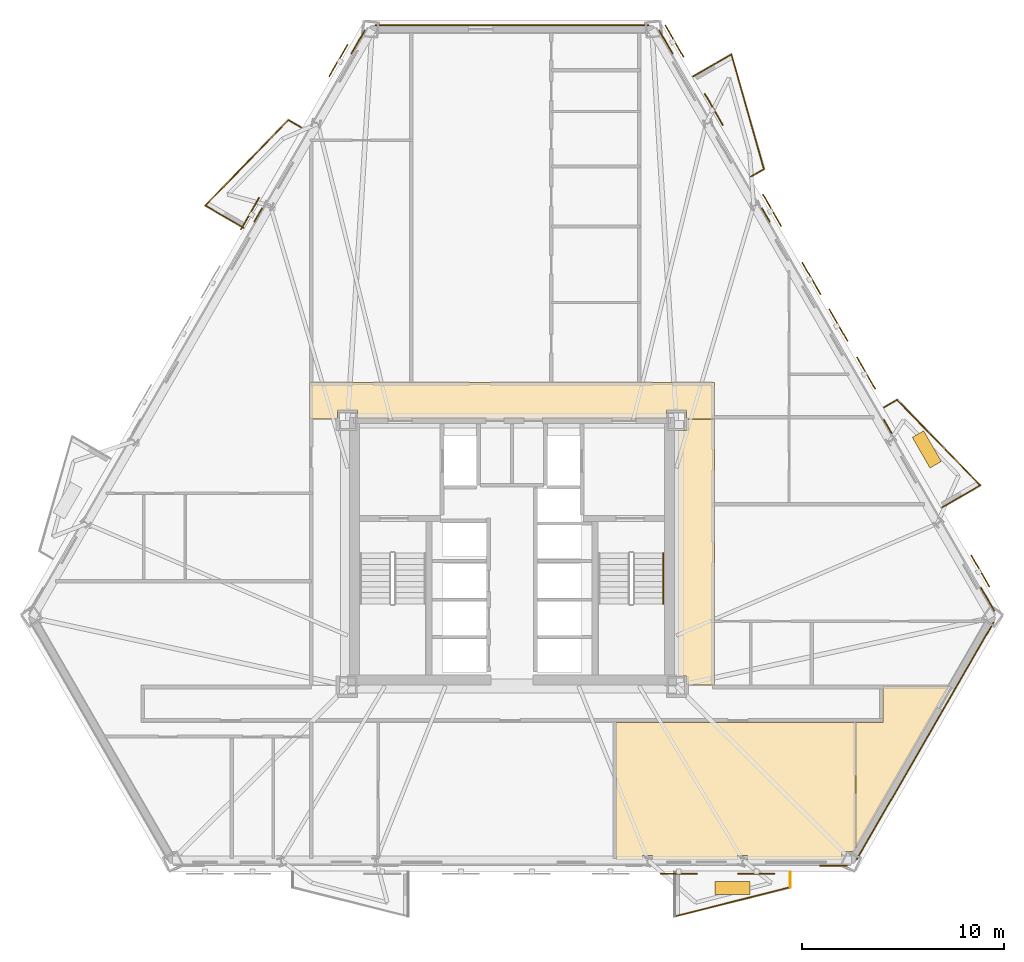
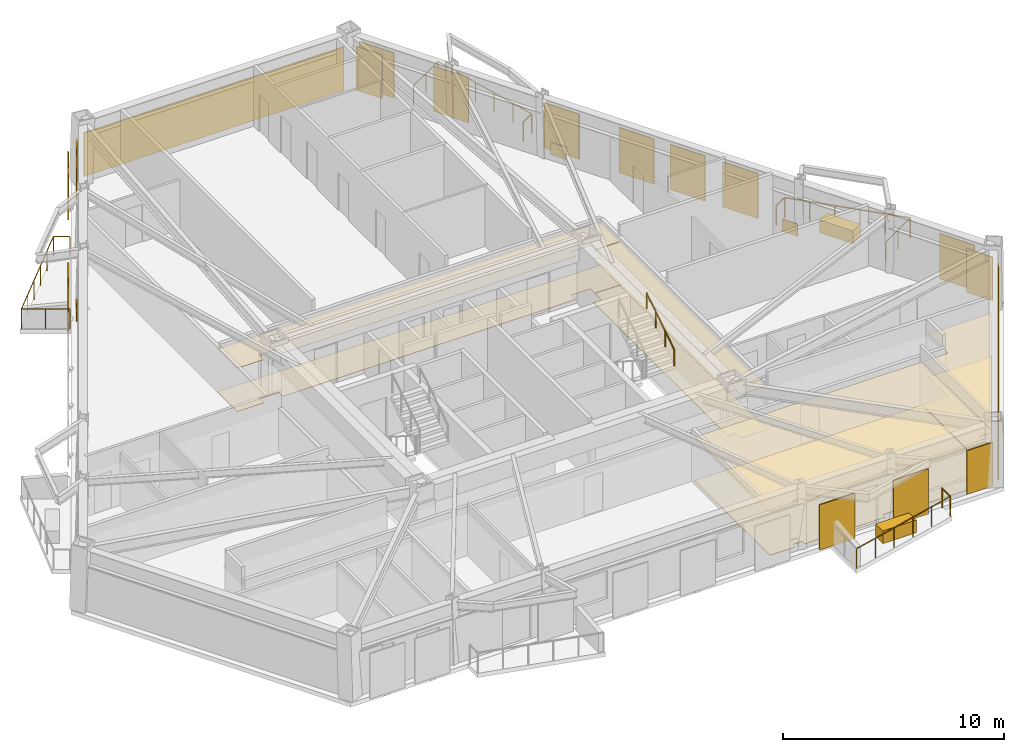
# One storey, part 10 of 10: 19 coverings, 12 railings, 11 shading devices.
"""IFC4 building model written with IfcOpenShell, lengths in metres."""

from ifc_helpers import new_model, si_unit, direction, frame, origin, origin_2d, place, context, subcontext, project, spatial, polyline, rectangle, circle, outline, extrude, material, layer, layer_set, type_object, element, save


model = new_model("IFC4")

# Units and contexts
model_context = context("Model", 3, precision=1e-05, world=origin(), true_north=direction((0.0, 1.0)))
body_context = subcontext(model_context, "Body", "Model", "MODEL_VIEW")
ifc_project = project(units=[si_unit("LENGTHUNIT", "METRE"), si_unit("AREAUNIT", "SQUARE_METRE"), si_unit("VOLUMEUNIT", "CUBIC_METRE"), si_unit("PLANEANGLEUNIT", "RADIAN"), si_unit("MASSUNIT", "GRAM", prefix="KILO")], contexts=[model_context])

# Site, building, storey
site_placement = place(None, origin())
site = spatial("IfcSite", under=ifc_project, at=site_placement, CompositionType="ELEMENT")
building_placement = place(site_placement, origin())
building = spatial("IfcBuilding", under=site, at=building_placement, Name="Oramaril Tower", CompositionType="ELEMENT")
storey_placement = place(building_placement, frame((0.0, 0.0, 59.699951171875)))
storey = spatial("IfcBuildingStorey", under=building, at=storey_placement, Name="L15", CompositionType="ELEMENT", Elevation=59.699951171875)

# Coverings
ifc_material_1 = material(Name="Mineral Fibre Acoustic Ceiling")
ifc_layer_1 = layer(ifc_material_1, 0.02001953125)
ifc_layer_set_1 = layer_set([ifc_layer_1], Name="CVT-CEIL")
covering_type_1 = type_object("IfcCoveringType", Name="CVT-CEIL", PredefinedType="CEILING", material=ifc_layer_set_1)
covering_1_placement = place(storey_placement, frame((0.0, 0.0, 2.400146484375)))
element("IfcCovering", 1, at=covering_1_placement, inside=storey, type_object=covering_type_1, Name="L15 Acoustic Suspended Ceiling 2", PredefinedType="CEILING", context=body_context, shape_type="SweptSolid", body=[
    extrude(outline(polyline([(47.530029296875, 24.239990234375), (46.14501953125, 24.239990234375), (46.14501953125, 24.64501953125), (45.155029296875, 24.64501953125), (45.155029296875, 24.25), (29.844970703125, 24.25), (29.844970703125, 24.64501953125), (28.85498046875, 24.64501953125), (28.85498046875, 24.239990234375), (27.469970703125, 24.239990234375), (27.469970703125, 26.050048828125), (47.530029296875, 26.050048828125), (47.530029296875, 24.239990234375)])), origin(), (0.0, 0.0, 1.0), 0.02001953125),
])
covering_2_placement = place(storey_placement, frame((0.0, 0.0, 2.400146484375)))
element("IfcCovering", 2, at=covering_2_placement, inside=storey, type_object=covering_type_1, Name="L15 Acoustic Suspended Ceiling 4", PredefinedType="CEILING", context=body_context, shape_type="SweptSolid", body=[
    extrude(outline(polyline([(47.530029296875, 11.050048828125), (46.14501953125, 11.050048828125), (46.14501953125, 11.4951171875), (45.719970703125, 11.4951171875), (45.719970703125, 23.655029296875), (46.14501953125, 23.655029296875), (46.14501953125, 24.219970703125), (47.530029296875, 24.219970703125), (47.530029296875, 11.050048828125)])), origin(), (0.0, 0.0, 1.0), 0.02001953125),
])
covering_3_placement = place(storey_placement, frame((0.0, 0.0, 2.400146484375)))
element("IfcCovering", 3, at=covering_3_placement, inside=storey, type_object=covering_type_1, Name="L15 Acoustic Suspended Ceiling 7", PredefinedType="CEILING", context=body_context, shape_type="SweptSolid", body=[
    extrude(outline(polyline([(54.466064453125, 2.790283203125), (53.872314453125, 2.790283203125), (53.872314453125, 2.381591796875), (49.186279296875, 2.381591796875), (49.186279296875, 2.607421875), (48.681884765625, 2.607421875), (48.681884765625, 2.381591796875), (44.471923828125, 2.381591796875), (44.471923828125, 2.607421875), (43.97998046875, 2.607421875), (43.97998046875, 2.381591796875), (42.662109375, 2.381591796875), (42.662109375, 9.199951171875), (54.54248046875, 9.199951171875), (54.54248046875, 2.9228515625), (54.466064453125, 2.790283203125)])), origin(), (0.0, 0.0, 1.0), 0.02001953125),
])
covering_4_placement = place(storey_placement, frame((0.0, 0.0, 2.400146484375)))
element("IfcCovering", 4, at=covering_4_placement, inside=storey, type_object=covering_type_1, Name="L15 Acoustic Suspended Ceiling 8", PredefinedType="CEILING", context=body_context, shape_type="SweptSolid", body=[
    extrude(outline(polyline([(59.201416015625, 10.991943359375), (54.5625, 2.95751953125), (54.5625, 9.199951171875), (55.8798828125, 9.199951171875), (55.882080078125, 9.2001953125), (55.8837890625, 9.200439453125), (55.8857421875, 9.200927734375), (55.8876953125, 9.201416015625), (55.889404296875, 9.202392578125), (55.89111328125, 9.203369140625), (55.892578125, 9.20458984375), (55.89404296875, 9.205810546875), (55.8955078125, 9.207275390625), (55.896484375, 9.208984375), (55.897705078125, 9.210693359375), (55.8984375, 9.21240234375), (55.899169921875, 9.214111328125), (55.899658203125, 9.216064453125), (55.89990234375, 9.218017578125), (55.89990234375, 9.219970703125), (55.89990234375, 10.991943359375), (59.201416015625, 10.991943359375)])), origin(), (0.0, 0.0, 1.0), 0.02001953125),
])
ifc_material_2 = material(Name="Warm Cream Limestone", Category="masonry")
ifc_layer_2 = layer(ifc_material_2, 0.050048828125)
ifc_layer_set_2 = layer_set([ifc_layer_2], Name="CVT-CLD")
covering_type_2 = type_object("IfcCoveringType", Name="CVT-CLD", PredefinedType="CLADDING", material=ifc_layer_set_2)
covering_5_placement = place(storey_placement, frame((53.4423828125, 2.080810546875, 0.0400390625), z_axis=(0.0, 0.0, 1.0), x_axis=(1.0, 0.0, 0.0)))
element("IfcCovering", 5, at=covering_5_placement, inside=storey, type_object=covering_type_2, Name="L15 Warm Cream Limestone Cladding", PredefinedType="CLADDING", context=body_context, shape_type="SweptSolid", body=[
    extrude(rectangle(XDim=1.35009765625, YDim=0.050048828125, at=origin_2d()), origin(), (0.0, 0.0, 1.0), 2.4140625),
])
covering_6_placement = place(storey_placement, frame((57.98046875, 8.275390625, 0.0400390625), z_axis=(0.0, 0.0, 1.0), x_axis=(0.500001511499, 0.866024531118, 0.0)))
element("IfcCovering", 6, at=covering_6_placement, inside=storey, type_object=covering_type_2, Name="L15 Warm Cream Limestone Cladding", PredefinedType="CLADDING", context=body_context, shape_type="SweptSolid", body=[
    extrude(rectangle(XDim=13.58349609375, YDim=0.050048828125, at=origin_2d()), origin(), (0.0, 0.0, 1.0), 2.4140625),
])
for number, where, z_axis, x_axis, name in (
    (7, (61.076416015625, 15.302978515625, 0.0400390625), (0.0, 0.0, 1.0), (-0.4999984885, 0.866026276448, 0.0), "L15 Warm Cream Limestone Cladding"),
    (8, (45.1337890625, 42.916259765625, 0.0400390625), (0.0, 0.0, 1.0), (-0.4999984885, 0.866026276448, 0.0), "L15 Warm Cream Limestone Cladding"),
):
    element("IfcCovering", number, at=place(storey_placement, frame(where, z_axis=z_axis, x_axis=x_axis)), inside=storey, type_object=covering_type_2, Name=name, PredefinedType="CLADDING", context=body_context, shape_type="SweptSolid", body=[
        extrude(rectangle(XDim=1.35009765625, YDim=0.050048828125, at=origin_2d()), origin(), (0.0, 0.0, 1.0), 2.4140625),
    ])
for number, where, z_axis, x_axis, name in (
    (9, (56.127685546875, 23.874267578125, 0.0400390625), (0.0, 0.0, 1.0), (-0.4999984885, 0.866026276448, 0.0), "L15 Warm Cream Limestone Spandrel Cladding"),
    (10, (50.08251953125, 34.344970703125, 0.0400390625), (0.0, 0.0, 1.0), (-0.4999984885, 0.866026276448, 0.0), "L15 Warm Cream Limestone Spandrel Cladding"),
):
    element("IfcCovering", number, at=place(storey_placement, frame(where, z_axis=z_axis, x_axis=x_axis)), inside=storey, type_object=covering_type_2, Name=name, PredefinedType="CLADDING", context=body_context, shape_type="SweptSolid", body=[
        extrude(rectangle(XDim=0.800048828125, YDim=0.050048828125, at=origin_2d()), origin(), (0.0, 0.0, 1.0), 0.679931640625),
    ])
covering_7_placement = place(storey_placement, frame((37.5, 43.748779296875, 0.0400390625), z_axis=(0.0, 0.0, 1.0), x_axis=(-1.0, 0.0, 0.0)))
element("IfcCovering", 11, at=covering_7_placement, inside=storey, type_object=covering_type_2, Name="L15 Warm Cream Limestone Cladding", PredefinedType="CLADDING", context=body_context, shape_type="SweptSolid", body=[
    extrude(rectangle(XDim=13.58349609375, YDim=0.050048828125, at=origin_2d()), origin(), (0.0, 0.0, 1.0), 2.4140625),
])
covering_8_placement = place(storey_placement, frame((29.8662109375, 42.916259765625, 0.0400390625), z_axis=(0.0, 0.0, 1.0), x_axis=(-0.4999984885, -0.866026276448, 0.0)))
element("IfcCovering", 12, at=covering_8_placement, inside=storey, type_object=covering_type_2, Name="L15 Warm Cream Limestone Cladding", PredefinedType="CLADDING", context=body_context, shape_type="SweptSolid", body=[
    extrude(rectangle(XDim=1.35009765625, YDim=0.050048828125, at=origin_2d()), origin(), (0.0, 0.0, 1.0), 2.4140625),
])
covering_9_placement = place(storey_placement, frame((24.91748046875, 34.344970703125, 0.0400390625), z_axis=(0.0, 0.0, 1.0), x_axis=(-0.4999984885, -0.866026276448, 0.0)))
element("IfcCovering", 13, at=covering_9_placement, inside=storey, type_object=covering_type_2, Name="L15 Warm Cream Limestone Spandrel Cladding", PredefinedType="CLADDING", context=body_context, shape_type="SweptSolid", body=[
    extrude(rectangle(XDim=0.800048828125, YDim=0.050048828125, at=origin_2d()), origin(), (0.0, 0.0, 1.0), 0.679931640625),
])
for number, where, z_axis, x_axis, name in (
    (14, (48.43310546875, 0.977294921875, 0.0), (0.0, 0.0, 1.0), (1.0, 0.0, 0.0), "L15 Structural Tree Planter Box L15-BAL-S2"),
    (15, (58.06494140625, 22.726318359375, 0.0), (0.0, 0.0, 1.0), (-0.4999984885, 0.866026276448, 0.0), "L15 Structural Tree Planter Box L15-BAL-NE1"),
):
    element("IfcCovering", number, at=place(storey_placement, frame(where, z_axis=z_axis, x_axis=x_axis)), inside=storey, type_object=covering_type_2, Name=name, PredefinedType="CLADDING", context=body_context, shape_type="SweptSolid", body=[
        extrude(rectangle(XDim=1.75, YDim=0.64990234375, at=origin_2d()), origin(), (0.0, 0.0, 1.0), 0.699951171875),
    ])
ifc_material_3 = material(Name="Honed Quartzite Stone Flooring", Category="masonry")
ifc_layer_3 = layer(ifc_material_3, 0.02490234375)
ifc_layer_set_3 = layer_set([ifc_layer_3], Name="CVT-FLR")
covering_type_3 = type_object("IfcCoveringType", Name="CVT-FLR", PredefinedType="FLOORING", material=ifc_layer_set_3)
covering_10_placement = place(storey_placement, origin())
element("IfcCovering", 16, at=covering_10_placement, inside=storey, type_object=covering_type_3, Name="L15 Honed Stone Floor Finish 2", PredefinedType="FLOORING", context=body_context, shape_type="SweptSolid", body=[
    extrude(outline(polyline([(47.530029296875, 24.239990234375), (46.14501953125, 24.239990234375), (46.14501953125, 24.64501953125), (45.155029296875, 24.64501953125), (45.155029296875, 24.25), (29.844970703125, 24.25), (29.844970703125, 24.64501953125), (28.85498046875, 24.64501953125), (28.85498046875, 24.239990234375), (27.469970703125, 24.239990234375), (27.469970703125, 26.050048828125), (47.530029296875, 26.050048828125), (47.530029296875, 24.239990234375)])), origin(), (0.0, 0.0, 1.0), 0.025146484375),
])
covering_11_placement = place(storey_placement, origin())
element("IfcCovering", 17, at=covering_11_placement, inside=storey, type_object=covering_type_3, Name="L15 Honed Stone Floor Finish 4", PredefinedType="FLOORING", context=body_context, shape_type="SweptSolid", body=[
    extrude(outline(polyline([(47.530029296875, 11.050048828125), (46.14501953125, 11.050048828125), (46.14501953125, 11.4951171875), (45.719970703125, 11.4951171875), (45.719970703125, 23.655029296875), (46.14501953125, 23.655029296875), (46.14501953125, 24.219970703125), (47.530029296875, 24.219970703125), (47.530029296875, 11.050048828125)])), origin(), (0.0, 0.0, 1.0), 0.025146484375),
])
covering_12_placement = place(storey_placement, origin())
element("IfcCovering", 18, at=covering_12_placement, inside=storey, type_object=covering_type_3, Name="L15 Honed Stone Floor Finish 7", PredefinedType="FLOORING", context=body_context, shape_type="SweptSolid", body=[
    extrude(outline(polyline([(54.466064453125, 2.790283203125), (53.872314453125, 2.790283203125), (53.872314453125, 2.381591796875), (49.186279296875, 2.381591796875), (49.186279296875, 2.607421875), (48.681884765625, 2.607421875), (48.681884765625, 2.381591796875), (44.471923828125, 2.381591796875), (44.471923828125, 2.607421875), (43.97998046875, 2.607421875), (43.97998046875, 2.381591796875), (42.662109375, 2.381591796875), (42.662109375, 9.199951171875), (54.54248046875, 9.199951171875), (54.54248046875, 2.9228515625), (54.466064453125, 2.790283203125)])), origin(), (0.0, 0.0, 1.0), 0.025146484375),
])
covering_13_placement = place(storey_placement, origin())
element("IfcCovering", 19, at=covering_13_placement, inside=storey, type_object=covering_type_3, Name="L15 Honed Stone Floor Finish 8", PredefinedType="FLOORING", context=body_context, shape_type="SweptSolid", body=[
    extrude(outline(polyline([(59.201416015625, 10.991943359375), (54.5625, 2.95751953125), (54.5625, 9.199951171875), (55.8798828125, 9.199951171875), (55.882080078125, 9.2001953125), (55.8837890625, 9.200439453125), (55.8857421875, 9.200927734375), (55.8876953125, 9.201416015625), (55.889404296875, 9.202392578125), (55.89111328125, 9.203369140625), (55.892578125, 9.20458984375), (55.89404296875, 9.205810546875), (55.8955078125, 9.207275390625), (55.896484375, 9.208984375), (55.897705078125, 9.210693359375), (55.8984375, 9.21240234375), (55.899169921875, 9.214111328125), (55.899658203125, 9.216064453125), (55.89990234375, 9.218017578125), (55.89990234375, 9.219970703125), (55.89990234375, 10.991943359375), (59.201416015625, 10.991943359375)])), origin(), (0.0, 0.0, 1.0), 0.025146484375),
])

# Railings
ifc_material_4 = material(Name="Stainless Steel 316L", Category="steel")
railing_type_1 = type_object("IfcRailingType", Name="RLT-GRD", PredefinedType="GUARDRAIL", material=ifc_material_4)
railing_1_placement = place(storey_placement, frame((51.298095703125, 1.765625, 0.0)))
element("IfcRailing", 20, at=railing_1_placement, inside=storey, type_object=railing_type_1, Name="L15 Balcony Guardrail L15-BAL-S2.1", PredefinedType="GUARDRAIL", context=body_context, shape_type="SweptSolid", body=[
    extrude(circle(Radius=0.02392578125, at=origin_2d()), frame((0.0, 0.0, 1.076171875), z_axis=(0.0, -1.0, 0.0), x_axis=(1.0, 0.0, 0.0)), (0.0, 0.0, 1.0), 0.741943359375),
    extrude(circle(Radius=0.02099609375, at=origin_2d()), origin(), (0.0, 0.0, 1.0), 1.052001953125),
    extrude(circle(Radius=0.02099609375, at=origin_2d()), frame((0.0, -0.741943359375, 0.0)), (0.0, 0.0, 1.0), 1.052001953125),
])
railing_2_placement = place(storey_placement, frame((51.298095703125, 1.023681640625, 0.0)))
element("IfcRailing", 21, at=railing_2_placement, inside=storey, type_object=railing_type_1, Name="L15 Balcony Guardrail L15-BAL-S2.2", PredefinedType="GUARDRAIL", context=body_context, shape_type="SweptSolid", body=[
    extrude(circle(Radius=0.02392578125, at=origin_2d()), frame((0.0, 0.0, 1.076171875), z_axis=(-0.969443611257, -0.245314256807, 0.0), x_axis=(0.245314256807, -0.969443611257, 0.0)), (0.0, 0.0, 1.0), 5.91064453125),
    extrude(circle(Radius=0.02099609375, at=origin_2d()), origin(), (0.0, 0.0, 1.0), 1.052001953125),
    extrude(circle(Radius=0.02099609375, at=origin_2d()), frame((-1.14599609375, -0.2900390625, 0.0)), (0.0, 0.0, 1.0), 1.052001953125),
    extrude(circle(Radius=0.02099609375, at=origin_2d()), frame((-2.2919921875, -0.580078125, 0.0)), (0.0, 0.0, 1.0), 1.052001953125),
    extrude(circle(Radius=0.02099609375, at=origin_2d()), frame((-3.43798828125, -0.869873046875, 0.0)), (0.0, 0.0, 1.0), 1.052001953125),
    extrude(circle(Radius=0.02099609375, at=origin_2d()), frame((-4.583984375, -1.159912109375, 0.0)), (0.0, 0.0, 1.0), 1.052001953125),
    extrude(circle(Radius=0.02099609375, at=origin_2d()), frame((-5.72998046875, -1.449951171875, 0.0)), (0.0, 0.0, 1.0), 1.052001953125),
])
railing_3_placement = place(storey_placement, frame((55.949462890625, 24.81298828125, 0.0)))
element("IfcRailing", 22, at=railing_3_placement, inside=storey, type_object=railing_type_1, Name="L15 Balcony Guardrail L15-BAL-NE1.1", PredefinedType="GUARDRAIL", context=body_context, shape_type="SweptSolid", body=[
    extrude(circle(Radius=0.02392578125, at=origin_2d()), frame((0.0, 0.0, 1.076171875), z_axis=(0.865966403178, 0.500102178127, 0.0), x_axis=(-0.500102178127, 0.865966403178, 0.0)), (0.0, 0.0, 1.0), 0.741943359375),
    extrude(circle(Radius=0.02099609375, at=origin_2d()), origin(), (0.0, 0.0, 1.0), 1.052001953125),
    extrude(circle(Radius=0.02099609375, at=origin_2d()), frame((0.642578125, 0.37109375, 0.0)), (0.0, 0.0, 1.0), 1.052001953125),
])
railing_4_placement = place(storey_placement, frame((56.592041015625, 25.18408203125, 0.0)))
element("IfcRailing", 23, at=railing_4_placement, inside=storey, type_object=railing_type_1, Name="L15 Balcony Guardrail L15-BAL-NE1.2", PredefinedType="GUARDRAIL", context=body_context, shape_type="SweptSolid", body=[
    extrude(circle(Radius=0.02392578125, at=origin_2d()), frame((0.0, 0.0, 1.076171875), z_axis=(0.697186915353, -0.716889395277, 0.0), x_axis=(0.716889395277, 0.697186915353, 0.0)), (0.0, 0.0, 1.0), 5.91064453125),
    extrude(circle(Radius=0.02099609375, at=origin_2d()), origin(), (0.0, 0.0, 1.0), 1.052001953125),
    extrude(circle(Radius=0.02099609375, at=origin_2d()), frame((0.82421875, -0.847412109375, 0.0)), (0.0, 0.0, 1.0), 1.052001953125),
    extrude(circle(Radius=0.02099609375, at=origin_2d()), frame((1.6484375, -1.69482421875, 0.0)), (0.0, 0.0, 1.0), 1.052001953125),
    extrude(circle(Radius=0.02099609375, at=origin_2d()), frame((2.472412109375, -2.54248046875, 0.0)), (0.0, 0.0, 1.0), 1.052001953125),
    extrude(circle(Radius=0.02099609375, at=origin_2d()), frame((3.296630859375, -3.389892578125, 0.0)), (0.0, 0.0, 1.0), 1.052001953125),
    extrude(circle(Radius=0.02099609375, at=origin_2d()), frame((4.120849609375, -4.2373046875, 0.0)), (0.0, 0.0, 1.0), 1.052001953125),
])
railing_5_placement = place(storey_placement, frame((60.712890625, 20.94677734375, 0.0)))
element("IfcRailing", 24, at=railing_5_placement, inside=storey, type_object=railing_type_1, Name="L15 Balcony Guardrail L15-BAL-NE1.3", PredefinedType="GUARDRAIL", context=body_context, shape_type="SweptSolid", body=[
    extrude(circle(Radius=0.02392578125, at=origin_2d()), frame((0.0, 0.0, 1.076171875), z_axis=(-0.866048343933, -0.499960264392, 0.0), x_axis=(0.499960264392, -0.866048343933, 0.0)), (0.0, 0.0, 1.0), 2.192138671875),
    extrude(circle(Radius=0.02099609375, at=origin_2d()), origin(), (0.0, 0.0, 1.0), 1.052001953125),
    extrude(circle(Radius=0.02099609375, at=origin_2d()), frame((-0.94921875, -0.5478515625, 0.0)), (0.0, 0.0, 1.0), 1.052001953125),
    extrude(circle(Radius=0.02099609375, at=origin_2d()), frame((-1.8984375, -1.095947265625, 0.0)), (0.0, 0.0, 1.0), 1.052001953125),
])
railing_6_placement = place(storey_placement, frame((46.47900390625, 41.216552734375, 0.0)))
element("IfcRailing", 25, at=railing_6_placement, inside=storey, type_object=railing_type_1, Name="L15 Balcony Guardrail L15-BAL-NE2.1", PredefinedType="GUARDRAIL", context=body_context, shape_type="SweptSolid", body=[
    extrude(circle(Radius=0.02392578125, at=origin_2d()), frame((0.0, 0.0, 1.076171875), z_axis=(0.866020500697, 0.5000084923, 0.0), x_axis=(-0.5000084923, 0.866020500697, 0.0)), (0.0, 0.0, 1.0), 2.19189453125),
    extrude(circle(Radius=0.02099609375, at=origin_2d()), origin(), (0.0, 0.0, 1.0), 1.052001953125),
    extrude(circle(Radius=0.02099609375, at=origin_2d()), frame((0.94921875, 0.5478515625, 0.0)), (0.0, 0.0, 1.0), 1.052001953125),
    extrude(circle(Radius=0.02099609375, at=origin_2d()), frame((1.898193359375, 1.095947265625, 0.0)), (0.0, 0.0, 1.0), 1.052001953125),
])
railing_7_placement = place(storey_placement, frame((48.377197265625, 42.3125, 0.0)))
element("IfcRailing", 26, at=railing_7_placement, inside=storey, type_object=railing_type_1, Name="L15 Balcony Guardrail L15-BAL-NE2.2", PredefinedType="GUARDRAIL", context=body_context, shape_type="SweptSolid", body=[
    extrude(circle(Radius=0.02392578125, at=origin_2d()), frame((0.0, 0.0, 1.076171875), z_axis=(0.272287109361, -0.962216051662, 0.0), x_axis=(0.962216051662, 0.272287109361, 0.0)), (0.0, 0.0, 1.0), 5.91064453125),
    extrude(circle(Radius=0.02099609375, at=origin_2d()), origin(), (0.0, 0.0, 1.0), 1.052001953125),
    extrude(circle(Radius=0.02099609375, at=origin_2d()), frame((0.32177734375, -1.137451171875, 0.0)), (0.0, 0.0, 1.0), 1.052001953125),
    extrude(circle(Radius=0.02099609375, at=origin_2d()), frame((0.643798828125, -2.27490234375, 0.0)), (0.0, 0.0, 1.0), 1.052001953125),
    extrude(circle(Radius=0.02099609375, at=origin_2d()), frame((0.965576171875, -3.412353515625, 0.0)), (0.0, 0.0, 1.0), 1.052001953125),
    extrude(circle(Radius=0.02099609375, at=origin_2d()), frame((1.28759765625, -4.5498046875, 0.0)), (0.0, 0.0, 1.0), 1.052001953125),
    extrude(circle(Radius=0.02099609375, at=origin_2d()), frame((1.609375, -5.687255859375, 0.0)), (0.0, 0.0, 1.0), 1.052001953125),
])
railing_8_placement = place(storey_placement, frame((49.986572265625, 36.625244140625, 0.0)))
element("IfcRailing", 27, at=railing_8_placement, inside=storey, type_object=railing_type_1, Name="L15 Balcony Guardrail L15-BAL-NE2.3", PredefinedType="GUARDRAIL", context=body_context, shape_type="SweptSolid", body=[
    extrude(circle(Radius=0.02392578125, at=origin_2d()), frame((0.0, 0.0, 1.076171875), z_axis=(-0.866108878364, -0.499855389907, 0.0), x_axis=(0.499855389907, -0.866108878364, 0.0)), (0.0, 0.0, 1.0), 0.741943359375),
    extrude(circle(Radius=0.02099609375, at=origin_2d()), origin(), (0.0, 0.0, 1.0), 1.052001953125),
    extrude(circle(Radius=0.02099609375, at=origin_2d()), frame((-0.642578125, -0.370849609375, 0.0)), (0.0, 0.0, 1.0), 1.052001953125),
])
railing_9_placement = place(storey_placement, frame((24.193603515625, 33.72119140625, 0.0)))
element("IfcRailing", 28, at=railing_9_placement, inside=storey, type_object=railing_type_1, Name="L15 Balcony Guardrail L15-BAL-NW1.1", PredefinedType="GUARDRAIL", context=body_context, shape_type="SweptSolid", body=[
    extrude(circle(Radius=0.02392578125, at=origin_2d()), frame((0.0, 0.0, 1.076171875), z_axis=(-0.866048343933, 0.499960264392, 0.0), x_axis=(-0.499960264392, -0.866048343933, 0.0)), (0.0, 0.0, 1.0), 2.192138671875),
    extrude(circle(Radius=0.02099609375, at=origin_2d()), origin(), (0.0, 0.0, 1.0), 1.052001953125),
    extrude(circle(Radius=0.02099609375, at=origin_2d()), frame((-0.94921875, 0.5478515625, 0.0)), (0.0, 0.0, 1.0), 1.052001953125),
    extrude(circle(Radius=0.02099609375, at=origin_2d()), frame((-1.8984375, 1.095947265625, 0.0)), (0.0, 0.0, 1.0), 1.052001953125),
])
railing_10_placement = place(storey_placement, frame((22.295166015625, 34.817138671875, 0.0)))
element("IfcRailing", 29, at=railing_10_placement, inside=storey, type_object=railing_type_1, Name="L15 Balcony Guardrail L15-BAL-NW1.2", PredefinedType="GUARDRAIL", context=body_context, shape_type="SweptSolid", body=[
    extrude(circle(Radius=0.02392578125, at=origin_2d()), frame((0.0, 0.0, 1.076171875), z_axis=(0.697186915353, 0.716889395277, 0.0), x_axis=(-0.716889395277, 0.697186915353, 0.0)), (0.0, 0.0, 1.0), 5.91064453125),
    extrude(circle(Radius=0.02099609375, at=origin_2d()), origin(), (0.0, 0.0, 1.0), 1.052001953125),
    extrude(circle(Radius=0.02099609375, at=origin_2d()), frame((0.82421875, 0.847412109375, 0.0)), (0.0, 0.0, 1.0), 1.052001953125),
    extrude(circle(Radius=0.02099609375, at=origin_2d()), frame((1.6484375, 1.69482421875, 0.0)), (0.0, 0.0, 1.0), 1.052001953125),
    extrude(circle(Radius=0.02099609375, at=origin_2d()), frame((2.472412109375, 2.54248046875, 0.0)), (0.0, 0.0, 1.0), 1.052001953125),
    extrude(circle(Radius=0.02099609375, at=origin_2d()), frame((3.296630859375, 3.389892578125, 0.0)), (0.0, 0.0, 1.0), 1.052001953125),
    extrude(circle(Radius=0.02099609375, at=origin_2d()), frame((4.120849609375, 4.2373046875, 0.0)), (0.0, 0.0, 1.0), 1.052001953125),
])
railing_11_placement = place(storey_placement, frame((26.416015625, 39.054443359375, 0.0)))
element("IfcRailing", 30, at=railing_11_placement, inside=storey, type_object=railing_type_1, Name="L15 Balcony Guardrail L15-BAL-NW1.3", PredefinedType="GUARDRAIL", context=body_context, shape_type="SweptSolid", body=[
    extrude(circle(Radius=0.02392578125, at=origin_2d()), frame((0.0, 0.0, 1.076171875), z_axis=(0.865966403178, -0.500102178127, 0.0), x_axis=(0.500102178127, 0.865966403178, 0.0)), (0.0, 0.0, 1.0), 0.741943359375),
    extrude(circle(Radius=0.02099609375, at=origin_2d()), origin(), (0.0, 0.0, 1.0), 1.052001953125),
    extrude(circle(Radius=0.02099609375, at=origin_2d()), frame((0.642578125, -0.37109375, 0.0)), (0.0, 0.0, 1.0), 1.052001953125),
])
ifc_material_5 = material(Name="Stainless Steel 316L", Category="steel")
railing_type_2 = type_object("IfcRailingType", Name="RLT-HND", PredefinedType="HANDRAIL", material=ifc_material_5)
railing_12_placement = place(storey_placement, frame((45.0, 15.070068359375, 1.97998046875)))
element("IfcRailing", 31, at=railing_12_placement, inside=storey, type_object=railing_type_2, Name="L15 ST-2 stair handrail 2", PredefinedType="HANDRAIL", context=body_context, shape_type="SweptSolid", body=[
    extrude(circle(Radius=0.02392578125, at=origin_2d()), frame((0.0, 0.0, 0.8759765625), z_axis=(0.0, 0.841162588446, 0.540782303519), x_axis=(-1.0, 0.0, 0.0)), (0.0, 0.0, 1.0), 2.995849609375),
    extrude(circle(Radius=0.02099609375, at=origin_2d()), origin(), (0.0, 0.0, 1.0), 0.851806640625),
    extrude(circle(Radius=0.02099609375, at=origin_2d()), frame((0.0, 0.840087890625, 0.5400390625)), (0.0, 0.0, 1.0), 0.851806640625),
    extrude(circle(Radius=0.02099609375, at=origin_2d()), frame((0.0, 1.679931640625, 1.080078125)), (0.0, 0.0, 1.0), 0.851806640625),
    extrude(circle(Radius=0.02099609375, at=origin_2d()), frame((0.0, 2.52001953125, 1.6201171875)), (0.0, 0.0, 1.0), 0.851806640625),
])

# Shading devices
for number, where, z_axis, x_axis, name in (
    (32, (45.765625, 1.693603515625, -0.02001953125), (0.0, 0.0, 1.0), (1.0, 0.0, 0.0), "L15 Perforated Ceramic Solar Screen"),
    (33, (49.6181640625, 1.693603515625, -0.02001953125), (0.0, 0.0, 1.0), (1.0, 0.0, 0.0), "L15 Perforated Ceramic Solar Screen"),
    (34, (60.71435546875, 16.7041015625, -0.02001953125), (0.0, 0.0, 1.0), (-0.4999984885, 0.866026276448, 0.0), "L15 Perforated Ceramic Solar Screen"),
    (35, (52.342529296875, 31.20458984375, -0.02001953125), (0.0, 0.0, 1.0), (-0.4999984885, 0.866026276448, 0.0), "L15 Perforated Ceramic Solar Screen"),
    (36, (50.392578125, 34.58203125, -0.02001953125), (0.0, 0.0, 1.0), (-0.4999984885, 0.866026276448, 0.0), "L15 Perforated Ceramic Solar Screen"),
    (37, (47.502197265625, 39.58837890625, -0.02001953125), (0.0, 0.0, 1.0), (-0.4999984885, 0.866026276448, 0.0), "L15 Perforated Ceramic Solar Screen"),
    (38, (45.55224609375, 42.9658203125, -0.02001953125), (0.0, 0.0, 1.0), (-0.4999984885, 0.866026276448, 0.0), "L15 Perforated Ceramic Solar Screen"),
    (39, (55.055419921875, 26.50537109375, -0.02001953125), (0.0, 0.0, 1.0), (-0.4999984885, 0.866026276448, 0.0), "L15 Perforated Ceramic Solar Screen"),
    (40, (53.6796875, 28.888671875, -0.02001953125), (0.0, 0.0, 1.0), (-0.4999984885, 0.866026276448, 0.0), "L15 Perforated Ceramic Solar Screen"),
    (41, (24.50927734375, 34.411865234375, -0.02001953125), (0.0, 0.0, 1.0), (-0.4999984885, -0.866026276448, 0.0), "L15 Perforated Ceramic Solar Screen"),
    (42, (28.894287109375, 42.007080078125, -0.02001953125), (0.0, 0.0, 1.0), (-0.4999984885, -0.866026276448, 0.0), "L15 Perforated Ceramic Solar Screen"),
):
    element("IfcShadingDevice", number, at=place(storey_placement, frame(where, z_axis=z_axis, x_axis=x_axis)), inside=storey, Name=name, ObjectType="SCREEN", PredefinedType="USERDEFINED", context=body_context, shape_type="SweptSolid", body=[
        extrude(rectangle(XDim=1.8330078125, YDim=0.050048828125, at=origin_2d()), origin(), (0.0, 0.0, 1.0), 2.493896484375),
    ])

save(model, "model.ifc")
